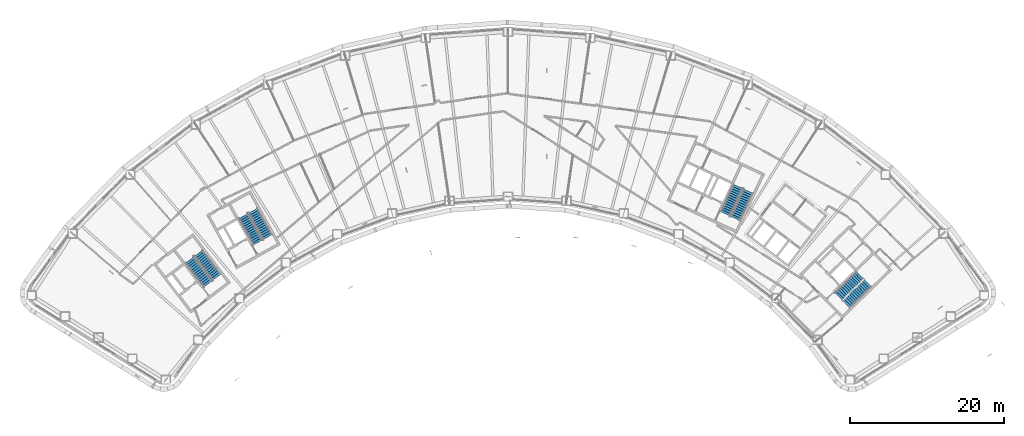
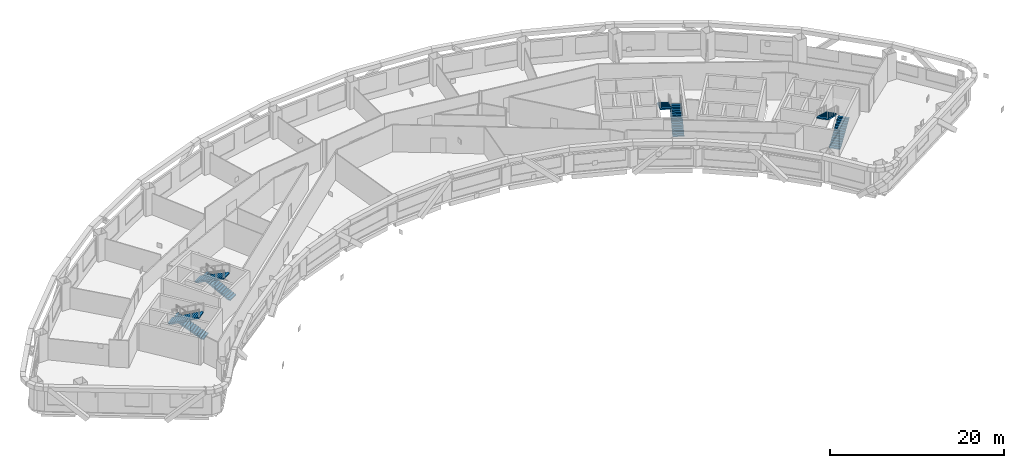
# One storey, part 9 of 19: 8 stair flights, 4 elements without a shape of their own.
"""IFC4 building model written with IfcOpenShell, lengths in metres."""

from ifc_helpers import new_model, si_unit, direction, frame, origin, place, context, subcontext, project, spatial, polyline, outline, extrude, material, type_object, element, aggregate, save


model = new_model("IFC4")

# Units and contexts
model_context = context("Model", 3, precision=1e-05, world=origin(), true_north=direction((0.0, 1.0)))
body_context = subcontext(model_context, "Body", "Model", "MODEL_VIEW")
ifc_project = project(units=[si_unit("LENGTHUNIT", "METRE"), si_unit("AREAUNIT", "SQUARE_METRE"), si_unit("VOLUMEUNIT", "CUBIC_METRE"), si_unit("PLANEANGLEUNIT", "RADIAN"), si_unit("MASSUNIT", "GRAM", prefix="KILO")], contexts=[model_context])

# Site, building, storey
site_placement = place(None, origin())
site = spatial("IfcSite", under=ifc_project, at=site_placement, CompositionType="ELEMENT")
building_placement = place(site_placement, origin())
building = spatial("IfcBuilding", under=site, at=building_placement, Name="Tuul Gate Civic Tower", CompositionType="ELEMENT")
storey_placement = place(building_placement, frame((0.0, 0.0, 90.60009765625)))
storey = spatial("IfcBuildingStorey", under=building, at=storey_placement, Name="Level 20", CompositionType="ELEMENT", Elevation=90.60009765625)

# Stair, stair flights
ifc_material_1 = material(Name="Concrete C40/50", Category="concrete")
stair_type = type_object("IfcStairType", Name="Exit stair", PredefinedType="HALF_TURN_STAIR", material=ifc_material_1)
stair_1_placement = place(storey_placement, origin())
stair_1 = element("IfcStair", 1, at=stair_1_placement, inside=storey, type_object=stair_type, Name="Level 20 ST-1", PredefinedType="HALF_TURN_STAIR")
ifc_material_2 = material(Name="Concrete C40/50", Category="concrete")
stair_flight_type = type_object("IfcStairFlightType", Name="Exit stair flight", PredefinedType="STRAIGHT", material=ifc_material_2)
stair_flight_1_placement = place(storey_placement, frame((-32.875244140625, -13.066650390625, 0.0), z_axis=(0.0, 0.0, 1.0), x_axis=(-0.605764474941, 0.795644016442, 0.0)))
stair_flight_1 = element("IfcStairFlight", 2, at=stair_flight_1_placement, type_object=stair_flight_type, Name="ST-1 flight 1", NumberOfRisers=14, NumberOfTreads=13, PredefinedType="STRAIGHT", RiserHeight=0.15, TreadLength=0.3, context=body_context, shape_type="SweptSolid", body=[
    extrude(outline(polyline([(0.0, 0.0), (0.0, 0.14990234375), (0.300048828125, 0.14990234375), (0.300048828125, 0.300048828125), (0.60009765625, 0.300048828125), (0.60009765625, 0.449951171875), (0.89990234375, 0.449951171875), (0.89990234375, 0.60009765625), (1.199951171875, 0.60009765625), (1.199951171875, 0.75), (1.5, 0.75), (1.5, 0.89990234375), (1.800048828125, 0.89990234375), (1.800048828125, 1.050048828125), (2.10009765625, 1.050048828125), (2.10009765625, 1.199951171875), (2.39990234375, 1.199951171875), (2.39990234375, 1.35009765625), (2.699951171875, 1.35009765625), (2.699951171875, 1.5), (3.0, 1.5), (3.0, 1.64990234375), (3.300048828125, 1.64990234375), (3.300048828125, 1.800048828125), (3.60009765625, 1.800048828125), (3.60009765625, 1.949951171875), (3.89990234375, 1.949951171875), (3.89990234375, 2.10009765625), (3.89990234375, 1.782470703125), (0.335205078125, 0.0), (0.0, 0.0)])), frame((0.0, 0.675048828125, 0.0), z_axis=(0.0, -1.0, 0.0), x_axis=(1.0, 0.0, 0.0)), (0.0, 0.0, 1.0), 1.35009765625),
])
stair_flight_2_placement = place(storey_placement, frame((-36.391357421875, -10.842041015625, 2.099853515625), z_axis=(0.0, 0.0, 1.0), x_axis=(0.605764474941, -0.795644016442, 0.0)))
stair_flight_2 = element("IfcStairFlight", 3, at=stair_flight_2_placement, type_object=stair_flight_type, Name="ST-1 flight 2", NumberOfRisers=14, NumberOfTreads=13, PredefinedType="STRAIGHT", RiserHeight=0.15, TreadLength=0.3, context=body_context, shape_type="SweptSolid", body=[
    extrude(outline(polyline([(0.0, 0.0), (0.0, 0.14990234375), (0.300048828125, 0.14990234375), (0.300048828125, 0.300048828125), (0.60009765625, 0.300048828125), (0.60009765625, 0.449951171875), (0.89990234375, 0.449951171875), (0.89990234375, 0.60009765625), (1.199951171875, 0.60009765625), (1.199951171875, 0.75), (1.5, 0.75), (1.5, 0.89990234375), (1.800048828125, 0.89990234375), (1.800048828125, 1.050048828125), (2.10009765625, 1.050048828125), (2.10009765625, 1.199951171875), (2.39990234375, 1.199951171875), (2.39990234375, 1.35009765625), (2.699951171875, 1.35009765625), (2.699951171875, 1.5), (3.0, 1.5), (3.0, 1.64990234375), (3.300048828125, 1.64990234375), (3.300048828125, 1.800048828125), (3.60009765625, 1.800048828125), (3.60009765625, 1.949951171875), (3.89990234375, 1.949951171875), (3.89990234375, 2.10009765625), (3.89990234375, 1.782470703125), (0.335205078125, 0.0), (0.0, 0.0)])), frame((0.0, 0.675048828125, 0.0), z_axis=(0.0, -1.0, 0.0), x_axis=(1.0, 0.0, 0.0)), (0.0, 0.0, 1.0), 1.35009765625),
])
aggregate(stair_1, [stair_flight_1, stair_flight_2])

stair_2_placement = place(storey_placement, origin())
stair_2 = element("IfcStair", 4, at=stair_2_placement, inside=storey, type_object=stair_type, Name="Level 20 ST-2", PredefinedType="HALF_TURN_STAIR")
stair_flight_3_placement = place(storey_placement, frame((-26.29150390625, -7.87646484375, 0.0), z_axis=(0.0, 0.0, 1.0), x_axis=(-0.484761763766, 0.874646232708, 0.0)))
stair_flight_3 = element("IfcStairFlight", 5, at=stair_flight_3_placement, type_object=stair_flight_type, Name="ST-2 flight 1", NumberOfRisers=14, NumberOfTreads=13, PredefinedType="STRAIGHT", RiserHeight=0.15, TreadLength=0.3, context=body_context, shape_type="SweptSolid", body=[
    extrude(outline(polyline([(0.0, 0.0), (0.0, 0.14990234375), (0.300048828125, 0.14990234375), (0.300048828125, 0.300048828125), (0.60009765625, 0.300048828125), (0.60009765625, 0.449951171875), (0.89990234375, 0.449951171875), (0.89990234375, 0.60009765625), (1.199951171875, 0.60009765625), (1.199951171875, 0.75), (1.5, 0.75), (1.5, 0.89990234375), (1.800048828125, 0.89990234375), (1.800048828125, 1.050048828125), (2.10009765625, 1.050048828125), (2.10009765625, 1.199951171875), (2.39990234375, 1.199951171875), (2.39990234375, 1.35009765625), (2.699951171875, 1.35009765625), (2.699951171875, 1.5), (3.0, 1.5), (3.0, 1.64990234375), (3.300048828125, 1.64990234375), (3.300048828125, 1.800048828125), (3.60009765625, 1.800048828125), (3.60009765625, 1.949951171875), (3.89990234375, 1.949951171875), (3.89990234375, 2.10009765625), (3.89990234375, 1.782470703125), (0.335205078125, 0.0), (0.0, 0.0)])), frame((0.0, 0.675048828125, 0.0), z_axis=(0.0, -1.0, 0.0), x_axis=(1.0, 0.0, 0.0)), (0.0, 0.0, 1.0), 1.35009765625),
])
stair_flight_4_placement = place(storey_placement, frame((-29.450439453125, -5.168212890625, 2.099853515625), z_axis=(0.0, 0.0, 1.0), x_axis=(0.484761763766, -0.874646232708, 0.0)))
stair_flight_4 = element("IfcStairFlight", 6, at=stair_flight_4_placement, type_object=stair_flight_type, Name="ST-2 flight 2", NumberOfRisers=14, NumberOfTreads=13, PredefinedType="STRAIGHT", RiserHeight=0.15, TreadLength=0.3, context=body_context, shape_type="SweptSolid", body=[
    extrude(outline(polyline([(0.0, 0.0), (0.0, 0.14990234375), (0.300048828125, 0.14990234375), (0.300048828125, 0.300048828125), (0.60009765625, 0.300048828125), (0.60009765625, 0.449951171875), (0.89990234375, 0.449951171875), (0.89990234375, 0.60009765625), (1.199951171875, 0.60009765625), (1.199951171875, 0.75), (1.5, 0.75), (1.5, 0.89990234375), (1.800048828125, 0.89990234375), (1.800048828125, 1.050048828125), (2.10009765625, 1.050048828125), (2.10009765625, 1.199951171875), (2.39990234375, 1.199951171875), (2.39990234375, 1.35009765625), (2.699951171875, 1.35009765625), (2.699951171875, 1.5), (3.0, 1.5), (3.0, 1.64990234375), (3.300048828125, 1.64990234375), (3.300048828125, 1.800048828125), (3.60009765625, 1.800048828125), (3.60009765625, 1.949951171875), (3.89990234375, 1.949951171875), (3.89990234375, 2.10009765625), (3.89990234375, 1.782470703125), (0.335205078125, 0.0), (0.0, 0.0)])), frame((0.0, 0.675048828125, 0.0), z_axis=(0.0, -1.0, 0.0), x_axis=(1.0, 0.0, 0.0)), (0.0, 0.0, 1.0), 1.35009765625),
])
aggregate(stair_2, [stair_flight_3, stair_flight_4])

stair_3_placement = place(storey_placement, origin())
stair_3 = element("IfcStair", 7, at=stair_3_placement, inside=storey, type_object=stair_type, Name="Level 20 ST-3", PredefinedType="HALF_TURN_STAIR")
stair_flight_5_placement = place(storey_placement, frame((48.61376953125, -16.581787109375, 0.0), z_axis=(0.0, 0.0, 1.0), x_axis=(0.714127290059, 0.700015866672, 0.0)))
stair_flight_5 = element("IfcStairFlight", 8, at=stair_flight_5_placement, type_object=stair_flight_type, Name="ST-3 flight 1", NumberOfRisers=14, NumberOfTreads=13, PredefinedType="STRAIGHT", RiserHeight=0.15, TreadLength=0.3, context=body_context, shape_type="SweptSolid", body=[
    extrude(outline(polyline([(0.0, 0.0), (0.0, 0.14990234375), (0.300048828125, 0.14990234375), (0.300048828125, 0.300048828125), (0.60009765625, 0.300048828125), (0.60009765625, 0.449951171875), (0.89990234375, 0.449951171875), (0.89990234375, 0.60009765625), (1.199951171875, 0.60009765625), (1.199951171875, 0.75), (1.5, 0.75), (1.5, 0.89990234375), (1.800048828125, 0.89990234375), (1.800048828125, 1.050048828125), (2.10009765625, 1.050048828125), (2.10009765625, 1.199951171875), (2.39990234375, 1.199951171875), (2.39990234375, 1.35009765625), (2.699951171875, 1.35009765625), (2.699951171875, 1.5), (3.0, 1.5), (3.0, 1.64990234375), (3.300048828125, 1.64990234375), (3.300048828125, 1.800048828125), (3.60009765625, 1.800048828125), (3.60009765625, 1.949951171875), (3.89990234375, 1.949951171875), (3.89990234375, 2.10009765625), (3.89990234375, 1.782470703125), (0.335205078125, 0.0), (0.0, 0.0)])), frame((0.0, 0.675048828125, 0.0), z_axis=(0.0, -1.0, 0.0), x_axis=(1.0, 0.0, 0.0)), (0.0, 0.0, 1.0), 1.35009765625),
])
stair_flight_6_placement = place(storey_placement, frame((50.3837890625, -12.816162109375, 2.099853515625), z_axis=(0.0, 0.0, 1.0), x_axis=(-0.714127290059, -0.700015866672, 0.0)))
stair_flight_6 = element("IfcStairFlight", 9, at=stair_flight_6_placement, type_object=stair_flight_type, Name="ST-3 flight 2", NumberOfRisers=14, NumberOfTreads=13, PredefinedType="STRAIGHT", RiserHeight=0.15, TreadLength=0.3, context=body_context, shape_type="SweptSolid", body=[
    extrude(outline(polyline([(0.0, 0.0), (0.0, 0.14990234375), (0.300048828125, 0.14990234375), (0.300048828125, 0.300048828125), (0.60009765625, 0.300048828125), (0.60009765625, 0.449951171875), (0.89990234375, 0.449951171875), (0.89990234375, 0.60009765625), (1.199951171875, 0.60009765625), (1.199951171875, 0.75), (1.5, 0.75), (1.5, 0.89990234375), (1.800048828125, 0.89990234375), (1.800048828125, 1.050048828125), (2.10009765625, 1.050048828125), (2.10009765625, 1.199951171875), (2.39990234375, 1.199951171875), (2.39990234375, 1.35009765625), (2.699951171875, 1.35009765625), (2.699951171875, 1.5), (3.0, 1.5), (3.0, 1.64990234375), (3.300048828125, 1.64990234375), (3.300048828125, 1.800048828125), (3.60009765625, 1.800048828125), (3.60009765625, 1.949951171875), (3.89990234375, 1.949951171875), (3.89990234375, 2.10009765625), (3.89990234375, 1.782470703125), (0.335205078125, 0.0), (0.0, 0.0)])), frame((0.0, 0.675048828125, 0.0), z_axis=(0.0, -1.0, 0.0), x_axis=(1.0, 0.0, 0.0)), (0.0, 0.0, 1.0), 1.35009765625),
])
aggregate(stair_3, [stair_flight_5, stair_flight_6])

stair_4_placement = place(storey_placement, origin())
stair_4 = element("IfcStair", 10, at=stair_4_placement, inside=storey, type_object=stair_type, Name="Level 20 ST-4", PredefinedType="HALF_TURN_STAIR")
stair_flight_7_placement = place(storey_placement, frame((34.278564453125, -5.478515625, 0.0), z_axis=(0.0, 0.0, 1.0), x_axis=(0.422576295988, 0.906327354806, 0.0)))
stair_flight_7 = element("IfcStairFlight", 11, at=stair_flight_7_placement, type_object=stair_flight_type, Name="ST-4 flight 1", NumberOfRisers=14, NumberOfTreads=13, PredefinedType="STRAIGHT", RiserHeight=0.15, TreadLength=0.3, context=body_context, shape_type="SweptSolid", body=[
    extrude(outline(polyline([(0.0, 0.0), (0.0, 0.14990234375), (0.300048828125, 0.14990234375), (0.300048828125, 0.300048828125), (0.60009765625, 0.300048828125), (0.60009765625, 0.449951171875), (0.89990234375, 0.449951171875), (0.89990234375, 0.60009765625), (1.199951171875, 0.60009765625), (1.199951171875, 0.75), (1.5, 0.75), (1.5, 0.89990234375), (1.800048828125, 0.89990234375), (1.800048828125, 1.050048828125), (2.10009765625, 1.050048828125), (2.10009765625, 1.199951171875), (2.39990234375, 1.199951171875), (2.39990234375, 1.35009765625), (2.699951171875, 1.35009765625), (2.699951171875, 1.5), (3.0, 1.5), (3.0, 1.64990234375), (3.300048828125, 1.64990234375), (3.300048828125, 1.800048828125), (3.60009765625, 1.800048828125), (3.60009765625, 1.949951171875), (3.89990234375, 1.949951171875), (3.89990234375, 2.10009765625), (3.89990234375, 1.782470703125), (0.335205078125, 0.0), (0.0, 0.0)])), frame((0.0, 0.675048828125, 0.0), z_axis=(0.0, -1.0, 0.0), x_axis=(1.0, 0.0, 0.0)), (0.0, 0.0, 1.0), 1.35009765625),
])
stair_flight_8_placement = place(storey_placement, frame((34.612548828125, -1.3310546875, 2.099853515625), z_axis=(0.0, 0.0, 1.0), x_axis=(-0.422576295988, -0.906327354806, 0.0)))
stair_flight_8 = element("IfcStairFlight", 12, at=stair_flight_8_placement, type_object=stair_flight_type, Name="ST-4 flight 2", NumberOfRisers=14, NumberOfTreads=13, PredefinedType="STRAIGHT", RiserHeight=0.15, TreadLength=0.3, context=body_context, shape_type="SweptSolid", body=[
    extrude(outline(polyline([(0.0, 0.0), (0.0, 0.14990234375), (0.300048828125, 0.14990234375), (0.300048828125, 0.300048828125), (0.60009765625, 0.300048828125), (0.60009765625, 0.449951171875), (0.89990234375, 0.449951171875), (0.89990234375, 0.60009765625), (1.199951171875, 0.60009765625), (1.199951171875, 0.75), (1.5, 0.75), (1.5, 0.89990234375), (1.800048828125, 0.89990234375), (1.800048828125, 1.050048828125), (2.10009765625, 1.050048828125), (2.10009765625, 1.199951171875), (2.39990234375, 1.199951171875), (2.39990234375, 1.35009765625), (2.699951171875, 1.35009765625), (2.699951171875, 1.5), (3.0, 1.5), (3.0, 1.64990234375), (3.300048828125, 1.64990234375), (3.300048828125, 1.800048828125), (3.60009765625, 1.800048828125), (3.60009765625, 1.949951171875), (3.89990234375, 1.949951171875), (3.89990234375, 2.10009765625), (3.89990234375, 1.782470703125), (0.335205078125, 0.0), (0.0, 0.0)])), frame((0.0, 0.675048828125, 0.0), z_axis=(0.0, -1.0, 0.0), x_axis=(1.0, 0.0, 0.0)), (0.0, 0.0, 1.0), 1.35009765625),
])
aggregate(stair_4, [stair_flight_7, stair_flight_8])

save(model, "model.ifc")
